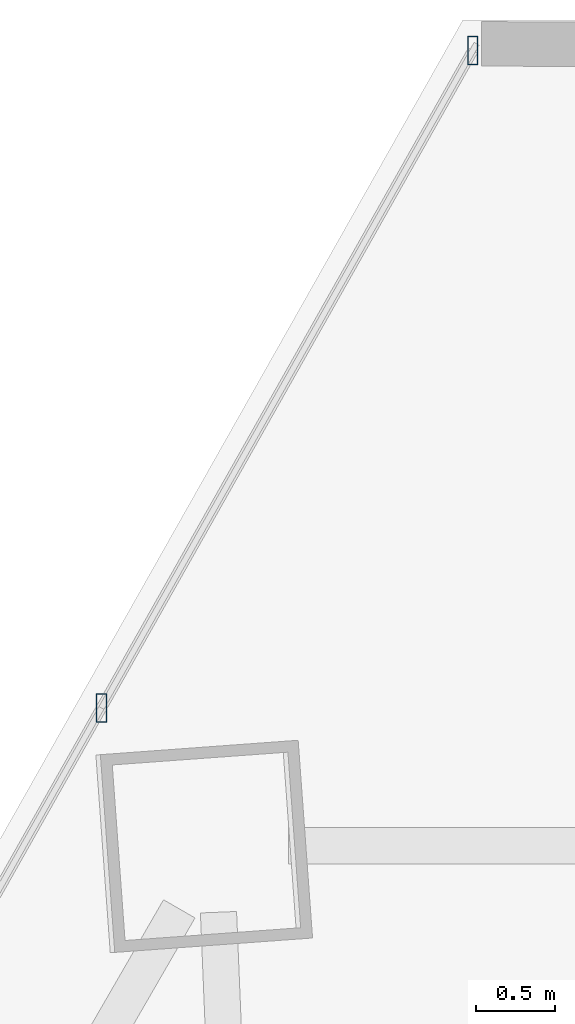
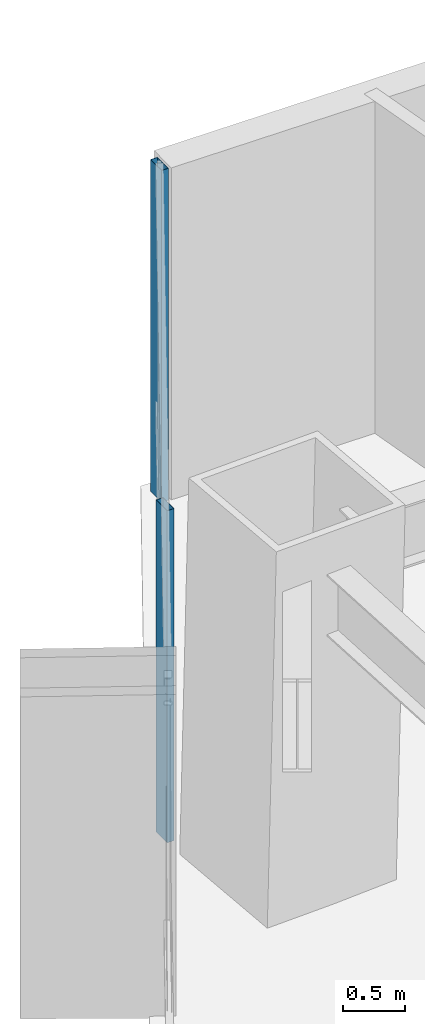
# One storey, part 27 of 39: 2 members, 1 element without a shape of its own.
"""IFC4 building model written with IfcOpenShell, lengths in metres."""

from ifc_helpers import new_model, si_unit, direction, frame, origin, origin_2d, place, context, subcontext, project, spatial, hollow_rectangle, extrude, source, transform, mapped, material, material_profile, profile_set, type_object, type_shapes, element, aggregate, save


model = new_model("IFC4")

# Units and contexts
model_context = context("Model", 3, precision=1e-05, world=origin(), true_north=direction((0.0, 1.0)))
body_context = subcontext(model_context, "Body", "Model", "MODEL_VIEW")
ifc_project = project(units=[si_unit("LENGTHUNIT", "METRE"), si_unit("AREAUNIT", "SQUARE_METRE"), si_unit("VOLUMEUNIT", "CUBIC_METRE"), si_unit("PLANEANGLEUNIT", "RADIAN"), si_unit("MASSUNIT", "GRAM", prefix="KILO")], contexts=[model_context])

# Site, building, storey
site_placement = place(None, origin())
site = spatial("IfcSite", under=ifc_project, at=site_placement, CompositionType="ELEMENT")
building_placement = place(site_placement, origin())
building = spatial("IfcBuilding", under=site, at=building_placement, Name="Caelisora Broadcast Tower", CompositionType="ELEMENT")
storey_placement = place(building_placement, frame((0.0, 0.0, 71.39990234375)))
storey = spatial("IfcBuildingStorey", under=building, at=storey_placement, Name="L18", CompositionType="ELEMENT", Elevation=71.39990234375)

# Curtain wall, members
ifc_material_1 = material(Name="Unitised Aluminium and Low-E Glass Curtain Wall", Category="glass")
curtain_wall_type = type_object("IfcCurtainWallType", Name="CW-Z1", PredefinedType="NOTDEFINED", material=ifc_material_1)
curtain_wall_placement = place(storey_placement, origin())
curtain_wall = element("IfcCurtainWall", 1, at=curtain_wall_placement, inside=storey, type_object=curtain_wall_type, Name="L18 curtain wall CW-Z1", PredefinedType="NOTDEFINED")
ifc_material_2 = material(Name="Aluminium 6063-T6 Anodised Terracotta Bronze", Category="aluminium")
ifc_material_profile = material_profile(ifc_material_2, hollow_rectangle(XDim=0.06494140625, YDim=0.179931640625, WallThickness=0.00341796875, at=origin_2d()), Name="Aluminium 6063-T6 Anodised Terracotta Bronze")
ifc_profile_set = profile_set([ifc_material_profile], Name="Aluminium 6063-T6 Anodised Terracotta Bronze")
member_type = type_object("IfcMemberType", Name="CWM-02", PredefinedType="MULLION", material=ifc_profile_set)
shared_shape = source(origin(), body_context, "Body", "SweptSolid", [
    extrude(hollow_rectangle(XDim=0.06494140625, YDim=0.179931640625, WallThickness=0.00341796875, at=origin_2d()), origin(), (0.0, 0.0, 1.0), 3.25),
])
type_shapes(member_type, [shared_shape])
member_1_placement = place(storey_placement, frame((29.1015625, 47.22412109375, 0.0), z_axis=(0.0, 0.0, 1.0), x_axis=(1.0, 0.0, 0.0)))
member_1 = element("IfcMember", 2, at=member_1_placement, type_object=member_type, Name="L18-CW-B11 mullion #2", PredefinedType="MULLION", context=body_context, shape_type="MappedRepresentation", body=[
    mapped(shared_shape, transform((0.0, 0.0, 0.0), scale=1.0)),
])
member_2_placement = place(storey_placement, frame((31.4423828125, 51.367431640625, 0.0), z_axis=(0.0, 0.0, 1.0), x_axis=(1.0, 0.0, 0.0)))
member_2 = element("IfcMember", 3, at=member_2_placement, type_object=member_type, Name="L18-CW-B11 mullion #3", PredefinedType="MULLION", context=body_context, shape_type="MappedRepresentation", body=[
    mapped(shared_shape, transform((0.0, 0.0, 0.0), scale=1.0)),
])
aggregate(curtain_wall, [member_1, member_2])

save(model, "model.ifc")
